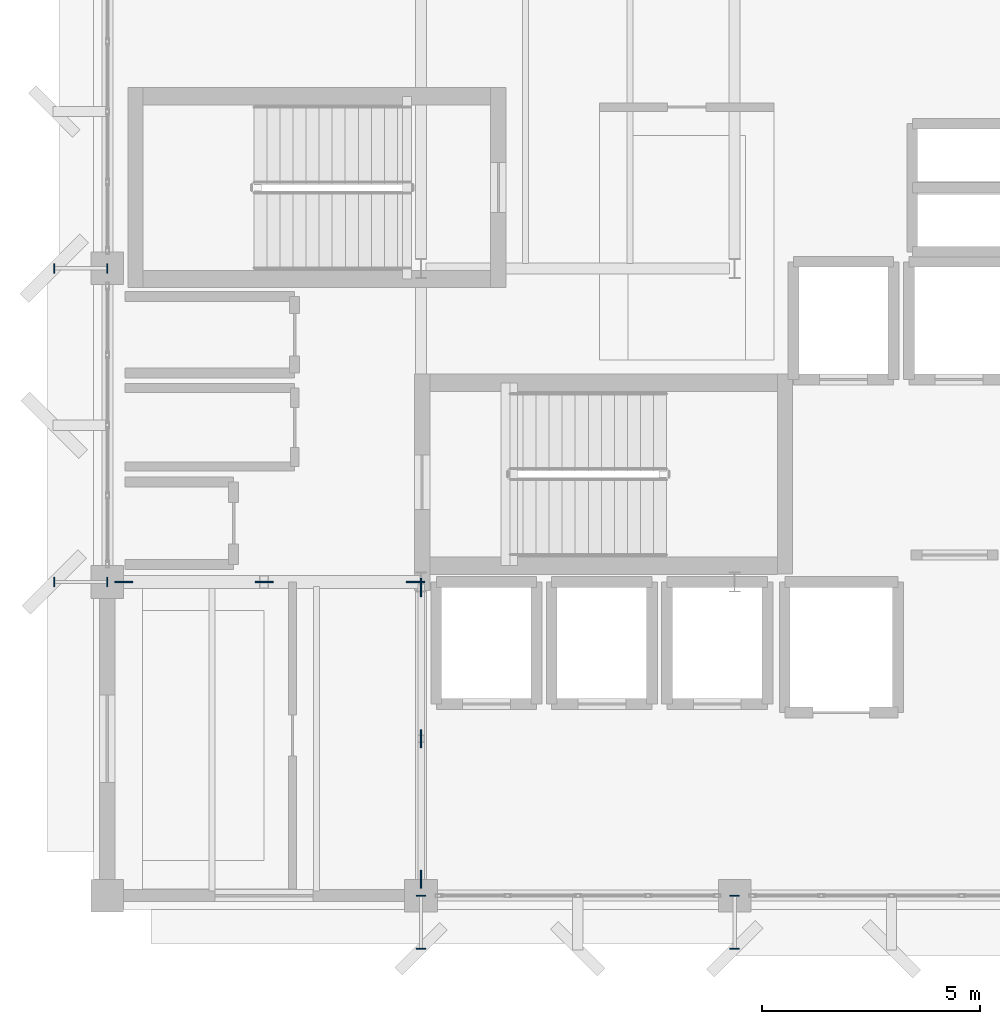
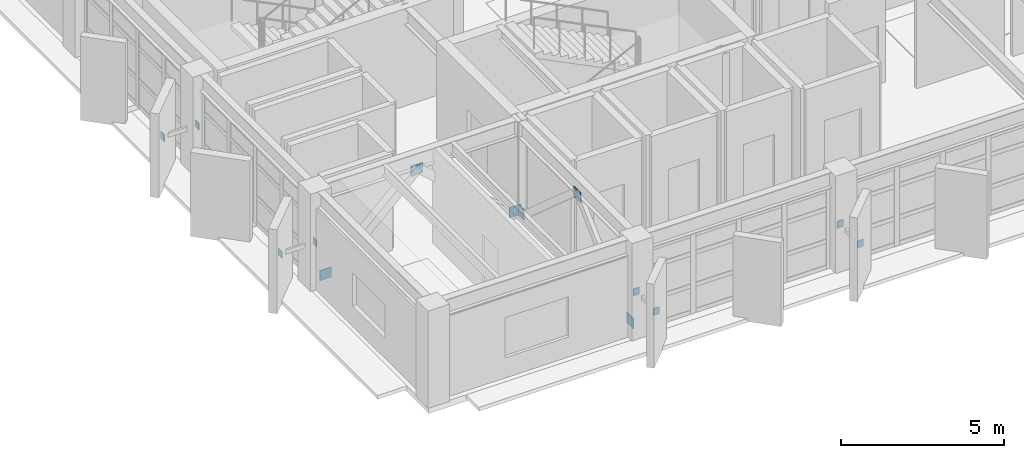
# One storey, part 35 of 48: 14 discrete accessories.
"""IFC4 building model written with IfcOpenShell, lengths in metres."""

from ifc_helpers import new_model, si_unit, direction, frame, origin, origin_2d, place, context, subcontext, project, spatial, rectangle, extrude, material, type_object, element, save


model = new_model("IFC4")

# Units and contexts
model_context = context("Model", 3, precision=1e-05, world=origin(), true_north=direction((0.0, 1.0)))
body_context = subcontext(model_context, "Body", "Model", "MODEL_VIEW")
ifc_project = project(units=[si_unit("LENGTHUNIT", "METRE"), si_unit("AREAUNIT", "SQUARE_METRE"), si_unit("VOLUMEUNIT", "CUBIC_METRE"), si_unit("PLANEANGLEUNIT", "RADIAN"), si_unit("MASSUNIT", "GRAM", prefix="KILO")], contexts=[model_context])

# Site, building, storey
site_placement = place(None, origin())
site = spatial("IfcSite", under=ifc_project, at=site_placement, CompositionType="ELEMENT")
building_placement = place(site_placement, origin())
building = spatial("IfcBuilding", under=site, at=building_placement, Name="Kandorven Conservatory and Botanical Research Centre", CompositionType="ELEMENT")
storey_placement = place(building_placement, frame((0.0, 0.0, 13.199951171875)))
storey = spatial("IfcBuildingStorey", under=building, at=storey_placement, Name="L03", CompositionType="ELEMENT", Elevation=13.199951171875)

# Discrete accessories
ifc_material_1 = material(Name="Steel S355 (IS 2062 E350)", Category="steel")
discrete_accessory_type_1 = type_object("IfcDiscreteAccessoryType", Name="BraceGussetPlate", PredefinedType="BRACKET", material=ifc_material_1)
for number, where, z_axis, x_axis, name in (
    (1, (6.375, 13.199951171875, -0.010009765625), (0.0, 0.0, 1.0), (1.0, 0.0, 0.0), "Welded chevron brace gusset plate L03 X-W"),
    (2, (9.60009765625, 13.199951171875, 2.755126953125), (0.0, 0.0, 1.0), (1.0, 0.0, 0.0), "Welded chevron brace gusset plate L03 X-M"),
    (3, (13.074951171875, 13.199951171875, -0.010009765625), (0.0, 0.0, 1.0), (1.0, 0.0, 0.0), "Welded chevron brace gusset plate L03 X-E"),
):
    element("IfcDiscreteAccessory", number, at=place(storey_placement, frame(where, z_axis=z_axis, x_axis=x_axis)), inside=storey, type_object=discrete_accessory_type_1, Name=name, PredefinedType="BRACKET", context=body_context, shape_type="SweptSolid", body=[
        extrude(rectangle(XDim=0.419921875, YDim=0.028076171875, at=origin_2d()), origin(), (0.0, 0.0, 1.0), 0.3798828125),
    ])
for number, where, z_axis, x_axis, name in (
    (4, (13.199951171875, 6.375, -0.010009765625), (0.0, 0.0, 1.0), (1.0, 0.0, 0.0), "Welded chevron brace gusset plate L03 Y-S"),
    (5, (13.199951171875, 9.60009765625, 2.755126953125), (0.0, 0.0, 1.0), (1.0, 0.0, 0.0), "Welded chevron brace gusset plate L03 Y-M"),
    (6, (13.199951171875, 13.074951171875, -0.010009765625), (0.0, 0.0, 1.0), (1.0, 0.0, 0.0), "Welded chevron brace gusset plate L03 Y-N"),
):
    element("IfcDiscreteAccessory", number, at=place(storey_placement, frame(where, z_axis=z_axis, x_axis=x_axis)), inside=storey, type_object=discrete_accessory_type_1, Name=name, PredefinedType="BRACKET", context=body_context, shape_type="SweptSolid", body=[
        extrude(rectangle(XDim=0.028076171875, YDim=0.419921875, at=origin_2d()), origin(), (0.0, 0.0, 1.0), 0.3798828125),
    ])
ifc_material_2 = material(Name="Steel S355 (IS 2062 E350)", Category="steel")
discrete_accessory_type_2 = type_object("IfcDiscreteAccessoryType", Name="SteelGussetPlate", PredefinedType="BRACKET", material=ifc_material_2)
for number, where, z_axis, x_axis, name in (
    (7, (13.199951171875, 6.0, 1.3701171875), (0.0, 0.0, 1.0), (1.0, 0.0, 0.0), "Welded steel strut end-plate GUS-01 #21A"),
    (8, (13.199951171875, 4.780029296875, 1.3701171875), (0.0, 0.0, 1.0), (1.0, 0.0, 0.0), "Welded steel strut end-plate GUS-01 #21B"),
    (9, (20.39990234375, 6.0, 1.3701171875), (0.0, 0.0, 1.0), (1.0, 0.0, 0.0), "Welded steel strut end-plate GUS-01 #23A"),
    (10, (20.39990234375, 4.780029296875, 1.3701171875), (0.0, 0.0, 1.0), (1.0, 0.0, 0.0), "Welded steel strut end-plate GUS-01 #23B"),
):
    element("IfcDiscreteAccessory", number, at=place(storey_placement, frame(where, z_axis=z_axis, x_axis=x_axis)), inside=storey, type_object=discrete_accessory_type_2, Name=name, PredefinedType="BRACKET", context=body_context, shape_type="SweptSolid", body=[
        extrude(rectangle(XDim=0.219970703125, YDim=0.02392578125, at=origin_2d()), origin(), (0.0, 0.0, 1.0), 0.260009765625),
    ])
for number, where, z_axis, x_axis, name in (
    (11, (6.0, 13.199951171875, 1.3701171875), (0.0, 0.0, 1.0), (1.0, 0.0, 0.0), "Welded steel strut end-plate GUS-01 #27A"),
    (12, (4.780029296875, 13.199951171875, 1.3701171875), (0.0, 0.0, 1.0), (1.0, 0.0, 0.0), "Welded steel strut end-plate GUS-01 #27B"),
    (13, (6.0, 20.39990234375, 1.3701171875), (0.0, 0.0, 1.0), (1.0, 0.0, 0.0), "Welded steel strut end-plate GUS-01 #29A"),
    (14, (4.780029296875, 20.39990234375, 1.3701171875), (0.0, 0.0, 1.0), (1.0, 0.0, 0.0), "Welded steel strut end-plate GUS-01 #29B"),
):
    element("IfcDiscreteAccessory", number, at=place(storey_placement, frame(where, z_axis=z_axis, x_axis=x_axis)), inside=storey, type_object=discrete_accessory_type_2, Name=name, PredefinedType="BRACKET", context=body_context, shape_type="SweptSolid", body=[
        extrude(rectangle(XDim=0.02392578125, YDim=0.219970703125, at=origin_2d()), origin(), (0.0, 0.0, 1.0), 0.260009765625),
    ])

save(model, "model.ifc")
